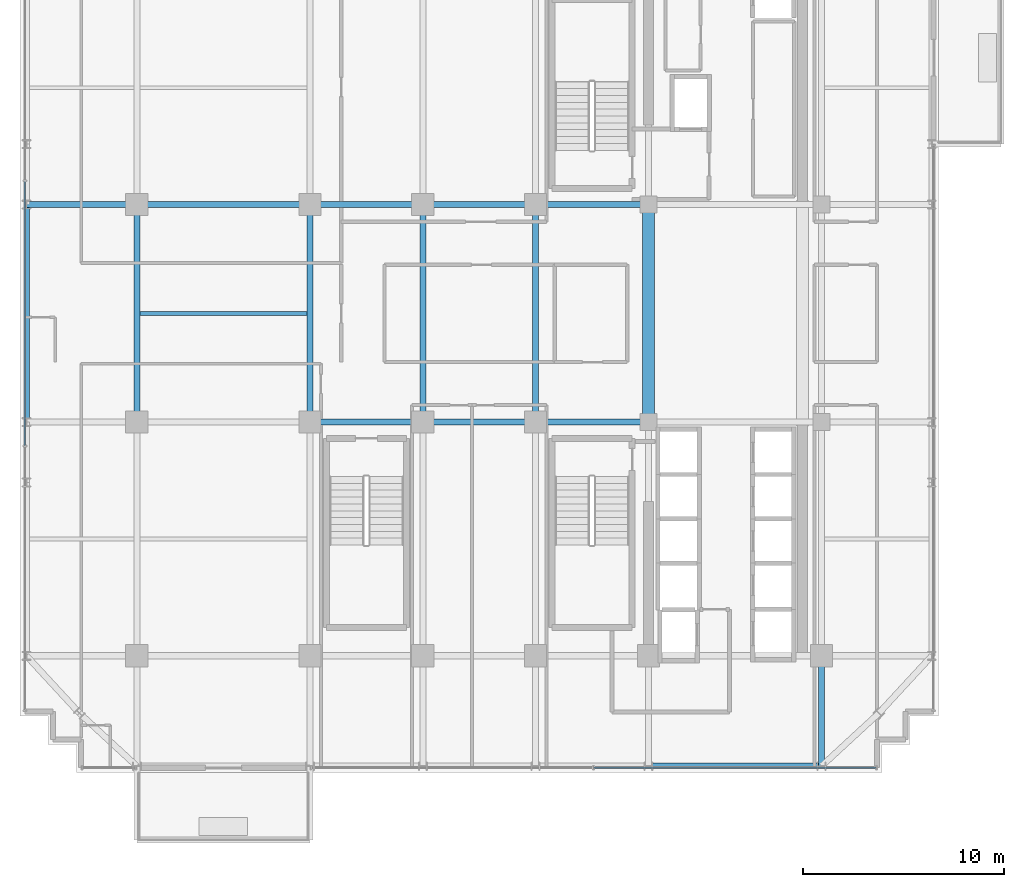
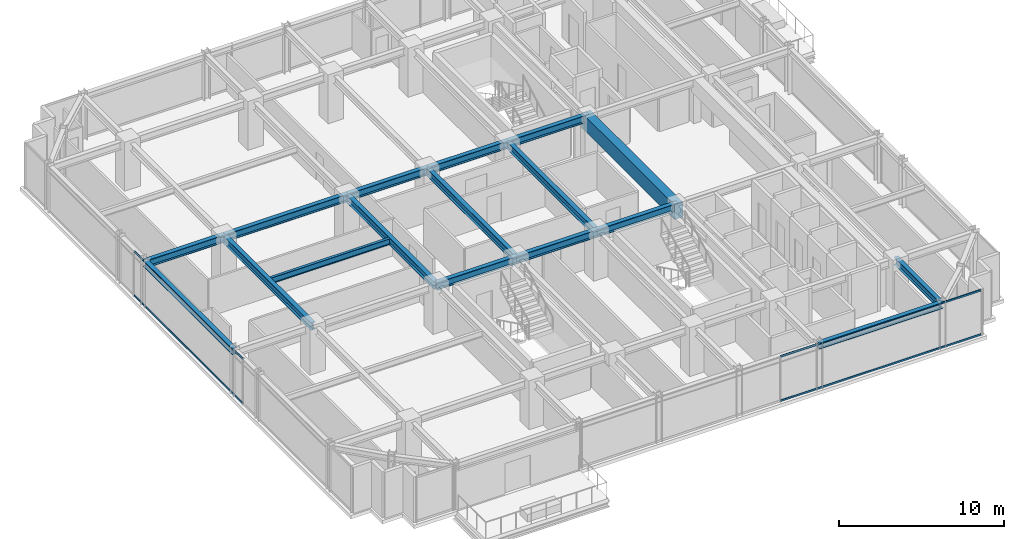
# One storey, part 8 of 31: 17 beams, 4 members, 2 elements without a shape of their own.
"""IFC4 building model written with IfcOpenShell, lengths in metres."""

import ifcopenshell
import ifcopenshell.guid

model = None  # the IFC model being written
_history = None  # IfcOwnerHistory: only IFC2X3 demands one
_inside = {}  # id of a spatial element -> (the spatial element, [elements in it])
_under = {}  # id of a project, library or spatial element -> (it, [spatial elements below it])
_declared = {}  # id of a project -> (the project, [libraries it declares])
_typed = {}  # id of a type object -> (the type object, [elements of that type])
_made_of = {}  # id of a material, layer set ... -> (it, [elements and type objects made of it])


def new_model(schema):
    """Start an empty IFC model of exactly this schema.

    Asked for "IFC4X3", IfcOpenShell would pick the latest addendum, in which some entities
    have other attributes; the version numbers below select the first issue.
    IFC2X3 requires an IfcOwnerHistory on every rooted entity: one is made here for all.
    """
    global model, _history
    if schema == "IFC4X3":
        model = ifcopenshell.file(schema_version=(4, 3, 0, 0))
    else:
        model = ifcopenshell.file(schema=schema)
    _inside.clear()
    _under.clear()
    _declared.clear()
    _typed.clear()
    _made_of.clear()
    _history = None
    if model.schema == "IFC2X3":
        org = make("IfcOrganization", Name="unknown")
        user = make(
            "IfcPersonAndOrganization",
            ThePerson=make("IfcPerson", FamilyName="unknown"),
            TheOrganization=org,
        )
        app = make(
            "IfcApplication",
            ApplicationDeveloper=org,
            Version="unknown",
            ApplicationFullName="unknown",
            ApplicationIdentifier="unknown",
        )
        _history = make(
            "IfcOwnerHistory",
            OwningUser=user,
            OwningApplication=app,
            ChangeAction="ADDED",
            CreationDate=0,
        )
    return model


def make(cls, **values):
    """One entity of the class cls with the attributes given. An attribute that is None is left unset."""
    return model.create_entity(
        cls, **{name: value for name, value in values.items() if value is not None}
    )


def rooted(cls, **values):
    """An entity with a GlobalId (a new one), such as an element, a storey or a relation."""
    return make(cls, GlobalId=ifcopenshell.guid.new(), OwnerHistory=_history, **values)


def si_unit(unit_type, name, prefix=None):
    """IfcSIUnit, for example si_unit("LENGTHUNIT", "METRE", prefix="MILLI")."""
    return make("IfcSIUnit", UnitType=unit_type, Prefix=prefix, Name=name)


def assignment(units):
    """IfcUnitAssignment: the units of a project."""
    return None if units is None else make("IfcUnitAssignment", Units=units)


def point(xyz):
    """IfcCartesianPoint."""
    return None if xyz is None else make("IfcCartesianPoint", Coordinates=xyz)


def direction(xyz):
    """IfcDirection."""
    return None if xyz is None else make("IfcDirection", DirectionRatios=xyz)


def frame(location, z_axis=None, x_axis=None):
    """IfcAxis2Placement3D, a coordinate frame: its origin and axes. An axis left out is left unset."""
    return make(
        "IfcAxis2Placement3D",
        Location=point(location),
        Axis=direction(z_axis),
        RefDirection=direction(x_axis),
    )


def frame_2d(location, x_axis=None):
    """IfcAxis2Placement2D, a coordinate frame in the plane: its origin and x axis."""
    return make(
        "IfcAxis2Placement2D", Location=point(location), RefDirection=direction(x_axis)
    )


def origin():
    """The frame at (0, 0, 0) with its axes left unset."""
    return frame((0.0, 0.0, 0.0))


def origin_2d():
    """The frame at (0, 0) in the plane with its x axis left unset."""
    return frame_2d((0.0, 0.0))


def place(relative_to, where):
    """IfcLocalPlacement: puts the frame where relative to a parent placement (None: the world)."""
    return make(
        "IfcLocalPlacement", PlacementRelTo=relative_to, RelativePlacement=where
    )


def context(
    kind, dimensions, precision=None, world=None, true_north=None, identifier=None
):
    """IfcGeometricRepresentationContext, for example the 3D "Model" context."""
    return make(
        "IfcGeometricRepresentationContext",
        ContextIdentifier=identifier,
        ContextType=kind,
        CoordinateSpaceDimension=dimensions,
        Precision=precision,
        WorldCoordinateSystem=world,
        TrueNorth=true_north,
    )


def subcontext(parent, identifier, kind, view, scale=None):
    """IfcGeometricRepresentationSubContext, for example "Body" below "Model"."""
    return make(
        "IfcGeometricRepresentationSubContext",
        ContextIdentifier=identifier,
        ContextType=kind,
        ParentContext=parent,
        TargetScale=scale,
        TargetView=view,
    )


def project(units=None, contexts=None):
    """IfcProject with its units and contexts."""
    return rooted(
        "IfcProject",
        Name="project",
        RepresentationContexts=contexts,
        UnitsInContext=assignment(units),
    )


def spatial(cls, under=None, at=None, **own):
    """A site, building, storey or space (cls), placed at a placement, below another one or the project."""
    s = rooted(cls, ObjectPlacement=at, **own)
    if under is not None:
        _under.setdefault(under.id(), (under, []))[1].append(s)
    return s


def profile(cls, at=None, kind="AREA", **sizes):
    """A parametric profile (cls). Its sizes go by their IFC names, for example OverallWidth=200.0."""
    return make(cls, ProfileType=kind, Position=at, **sizes)


def rectangle(**sizes):
    """IfcRectangleProfileDef."""
    return profile("IfcRectangleProfileDef", **sizes)


def hollow_rectangle(**sizes):
    """IfcRectangleHollowProfileDef."""
    return profile("IfcRectangleHollowProfileDef", **sizes)


def i_section(**sizes):
    """IfcIShapeProfileDef."""
    return profile("IfcIShapeProfileDef", **sizes)


def extrude(swept, where, along, depth):
    """IfcExtrudedAreaSolid: the profile swept, set in the frame where, extruded along a direction by depth."""
    return make(
        "IfcExtrudedAreaSolid",
        SweptArea=swept,
        Position=where,
        ExtrudedDirection=direction(along),
        Depth=depth,
    )


def shape(context_of_items, identifier, shape_type, items):
    """IfcShapeRepresentation: the items that make up one representation, for example the "Body"."""
    return make(
        "IfcShapeRepresentation",
        ContextOfItems=context_of_items,
        RepresentationIdentifier=identifier,
        RepresentationType=shape_type,
        Items=items,
    )


def source(mapping_origin, context_of_items, identifier, shape_type, items):
    """IfcRepresentationMap: a shape defined once, which mapped items show again and again."""
    return make(
        "IfcRepresentationMap",
        MappingOrigin=mapping_origin,
        MappedRepresentation=shape(context_of_items, identifier, shape_type, items),
    )


def transform(
    local_origin,
    x_axis=None,
    y_axis=None,
    z_axis=None,
    scale=None,
    scale2=None,
    scale3=None,
    uniform=True,
):
    """IfcCartesianTransformationOperator3D, or its non-uniform kind. x_axis, y_axis, z_axis: its Axis1, 2, 3."""
    if uniform:
        return make(
            "IfcCartesianTransformationOperator3D",
            Axis1=direction(x_axis),
            Axis2=direction(y_axis),
            LocalOrigin=point(local_origin),
            Scale=scale,
            Axis3=direction(z_axis),
        )
    return make(
        "IfcCartesianTransformationOperator3DnonUniform",
        Axis1=direction(x_axis),
        Axis2=direction(y_axis),
        LocalOrigin=point(local_origin),
        Scale=scale,
        Axis3=direction(z_axis),
        Scale2=scale2,
        Scale3=scale3,
    )


def mapped(mapping_source, mapping_target):
    """IfcMappedItem: shows the shape of a source again, moved by a transform."""
    return make(
        "IfcMappedItem", MappingSource=mapping_source, MappingTarget=mapping_target
    )


def material(Name=None, Category=None):
    """IfcMaterial."""
    return make("IfcMaterial", Name=Name, Category=Category)


def material_profile(
    of_material, cross_section, Name=None, Category=None, Priority=None
):
    """IfcMaterialProfile: a cross section and its material."""
    return make(
        "IfcMaterialProfile",
        Name=Name,
        Material=of_material,
        Profile=cross_section,
        Priority=Priority,
        Category=Category,
    )


def profile_set(profiles, Name=None, composite=None):
    """IfcMaterialProfileSet."""
    return make(
        "IfcMaterialProfileSet",
        Name=Name,
        MaterialProfiles=profiles,
        CompositeProfile=composite,
    )


def made_of(thing, what):
    """Note that an element or type object is made of a material, layer set ...; save() writes the relation."""
    if what is not None:
        _made_of.setdefault(what.id(), (what, []))[1].append(thing)
    return thing


def type_object(cls, material=None, **own):
    """A type object (cls), such as IfcWallType, which elements share."""
    return made_of(rooted(cls, **own), material)


def element(
    cls,
    number,
    at=None,
    inside=None,
    cuts=None,
    type_object=None,
    material=None,
    context=None,
    identifier="Body",
    shape_type=None,
    held_by="IfcProductDefinitionShape",
    body=None,
    shapes=None,
    **own,
):
    """One element of the class cls, such as IfcWall. Its Tag is "e" and its number.

    at: its placement. inside: the storey or other place that contains it. cuts: it is an
    opening in that element (IfcRelVoidsElement). A single representation is given by context,
    identifier, shape_type and body (its items); several are given by shapes. held_by: the class
    of the entity that holds the representations. save() writes the other relations.
    """
    e = rooted(cls, Tag="e%d" % number, ObjectPlacement=at, **own)
    if body is not None:
        shapes = [shape(context, identifier, shape_type, body)]
    if shapes is not None:
        e.Representation = make(held_by, Representations=shapes)
    if inside is not None:
        _inside.setdefault(inside.id(), (inside, []))[1].append(e)
    if cuts is not None:
        rooted(
            "IfcRelVoidsElement", RelatingBuildingElement=cuts, RelatedOpeningElement=e
        )
    if type_object is not None:
        _typed.setdefault(type_object.id(), (type_object, []))[1].append(e)
    return made_of(e, material)


def aggregate(whole, parts):
    """IfcRelAggregates: a whole, such as a stair, and the parts it consists of."""
    return rooted("IfcRelAggregates", RelatingObject=whole, RelatedObjects=parts)


def save(model, path):
    """Write the relations noted so far, then the file.

    IfcRelAggregates (storeys below a building ...), IfcRelContainedInSpatialStructure (elements
    in a storey), IfcRelDefinesByType, IfcRelAssociatesMaterial and IfcRelDeclares: one each for
    every whole, place, type object, material and project.
    """
    for whole, parts in _under.values():
        aggregate(whole, parts)
    for where, things in _inside.values():
        rooted(
            "IfcRelContainedInSpatialStructure",
            RelatedElements=things,
            RelatingStructure=where,
        )
    for kind, things in _typed.values():
        rooted("IfcRelDefinesByType", RelatedObjects=things, RelatingType=kind)
    for what, things in _made_of.values():
        rooted("IfcRelAssociatesMaterial", RelatedObjects=things, RelatingMaterial=what)
    for by, libraries in _declared.values():
        rooted("IfcRelDeclares", RelatingContext=by, RelatedDefinitions=libraries)
    model.write(path)


model = new_model("IFC4")

# Units and contexts
model_context = context("Model", 3, precision=1e-05, world=origin(), true_north=direction((0.0, 1.0)))
body_context = subcontext(model_context, "Body", "Model", "MODEL_VIEW")
ifc_project = project(units=[si_unit("LENGTHUNIT", "METRE"), si_unit("AREAUNIT", "SQUARE_METRE"), si_unit("VOLUMEUNIT", "CUBIC_METRE"), si_unit("PLANEANGLEUNIT", "RADIAN"), si_unit("MASSUNIT", "GRAM", prefix="KILO")], contexts=[model_context])

# Site, building, storey
site_placement = place(None, origin())
site = spatial("IfcSite", under=ifc_project, at=site_placement, CompositionType="ELEMENT")
building_placement = place(site_placement, origin())
building = spatial("IfcBuilding", under=site, at=building_placement, Name="Nahalor Promenade Grand Hotel", CompositionType="ELEMENT")
storey_placement = place(building_placement, frame((0.0, 0.0, 192.800048828125)))
storey = spatial("IfcBuildingStorey", under=building, at=storey_placement, Name="L49", CompositionType="ELEMENT", Elevation=192.800048828125)

# Beams
ifc_material_1 = material(Name="Concrete B-60 (C50/60)", Category="concrete")
ifc_material_profile_1 = material_profile(ifc_material_1, rectangle(XDim=0.6, YDim=1.1, at=origin_2d()), Name="RC 600x1100")
ifc_profile_set_1 = profile_set([ifc_material_profile_1], Name="Concrete B-60 (C50/60)")
beam_type_1 = type_object("IfcBeamType", Name="Beam-Lintel-RC1100", PredefinedType="LINTEL", material=ifc_profile_set_1)
shared_shape_1 = source(origin(), body_context, "Body", "SweptSolid", [
    extrude(rectangle(XDim=0.6, YDim=1.1, at=origin_2d()), origin(), (0.0, 0.0, 1.0), 11.2001953125),
])
beam_1_placement = place(storey_placement, frame((8.39990234375, -5.60009765625, 2.83984375), z_axis=(0.0, 1.0, 0.0), x_axis=(-1.0, 0.0, 0.0)))
element("IfcBeam", 1, at=beam_1_placement, inside=storey, type_object=beam_type_1, Name="BM-L49-LINT-W", PredefinedType="LINTEL", context=body_context, shape_type="MappedRepresentation", body=[
    mapped(shared_shape_1, transform((0.0, 0.0, 0.0), scale=1.0)),
])
ifc_material_2 = material(Name="Steel S355JR", Category="steel")
ifc_material_profile_2 = material_profile(ifc_material_2, i_section(OverallWidth=0.3, OverallDepth=0.55, WebThickness=0.015, FlangeThickness=0.029, at=origin_2d()), Name="HEB 550")
ifc_profile_set_2 = profile_set([ifc_material_profile_2], Name="Steel S355JR")
beam_type_2 = type_object("IfcBeamType", Name="Beam-Girder-HEB550", PredefinedType="BEAM", material=ifc_profile_set_2)
shared_shape_2 = source(origin(), body_context, "Body", "SweptSolid", [
    extrude(i_section(OverallWidth=0.3, OverallDepth=0.55, WebThickness=0.015, FlangeThickness=0.029, at=origin_2d()), origin(), (0.0, 0.0, 1.0), 8.60009765625),
])
beam_2_placement = place(storey_placement, frame((-17.0, 5.39990234375, 3.114990234375), z_axis=(1.0, 0.0, 0.0), x_axis=(0.0, 1.0, 0.0)))
element("IfcBeam", 2, at=beam_2_placement, inside=storey, type_object=beam_type_2, Name="BM-L49-GX-2-1", PredefinedType="BEAM", context=body_context, shape_type="MappedRepresentation", body=[
    mapped(shared_shape_2, transform((0.0, 0.0, 0.0), scale=1.0)),
])
shared_shape_3 = source(origin(), body_context, "Body", "SweptSolid", [
    extrude(i_section(OverallWidth=0.3, OverallDepth=0.55, WebThickness=0.015, FlangeThickness=0.029, at=origin_2d()), origin(), (0.0, 0.0, 1.0), 5.599853515625),
])
for number, where, z_axis, x_axis, name in (
    (3, (-8.39990234375, -5.39990234375, 3.114990234375), (1.0, 0.0, 0.0), (0.0, 1.0, 0.0), "BM-L49-GX-1-2"),
    (4, (2.800048828125, -5.39990234375, 3.114990234375), (1.0, 0.0, 0.0), (0.0, 1.0, 0.0), "BM-L49-GX-1-4"),
    (5, (-8.39990234375, 5.39990234375, 3.114990234375), (1.0, 0.0, 0.0), (0.0, 1.0, 0.0), "BM-L49-GX-2-2"),
    (6, (2.800048828125, 5.39990234375, 3.114990234375), (1.0, 0.0, 0.0), (0.0, 1.0, 0.0), "BM-L49-GX-2-4"),
):
    element("IfcBeam", number, at=place(storey_placement, frame(where, z_axis=z_axis, x_axis=x_axis)), inside=storey, type_object=beam_type_2, Name=name, PredefinedType="BEAM", context=body_context, shape_type="MappedRepresentation", body=[
        mapped(shared_shape_3, transform((0.0, 0.0, 0.0), scale=1.0)),
    ])
shared_shape_4 = source(origin(), body_context, "Body", "SweptSolid", [
    extrude(i_section(OverallWidth=0.3, OverallDepth=0.55, WebThickness=0.015, FlangeThickness=0.029, at=origin_2d()), origin(), (0.0, 0.0, 1.0), 5.60009765625),
])
for number, where, z_axis, x_axis, name in (
    (7, (-2.800048828125, -5.39990234375, 3.114990234375), (1.0, 0.0, 0.0), (0.0, 1.0, 0.0), "BM-L49-GX-1-3"),
    (8, (-2.800048828125, 5.39990234375, 3.114990234375), (1.0, 0.0, 0.0), (0.0, 1.0, 0.0), "BM-L49-GX-2-3"),
):
    element("IfcBeam", number, at=place(storey_placement, frame(where, z_axis=z_axis, x_axis=x_axis)), inside=storey, type_object=beam_type_2, Name=name, PredefinedType="BEAM", context=body_context, shape_type="MappedRepresentation", body=[
        mapped(shared_shape_4, transform((0.0, 0.0, 0.0), scale=1.0)),
    ])
shared_shape_5 = source(origin(), body_context, "Body", "SweptSolid", [
    extrude(i_section(OverallWidth=0.3, OverallDepth=0.55, WebThickness=0.015, FlangeThickness=0.029, at=origin_2d()), origin(), (0.0, 0.0, 1.0), 10.7998046875),
])
for number, where, z_axis, x_axis, name in (
    (9, (-17.0, -5.39990234375, 3.114990234375), (0.0, 1.0, 0.0), (-1.0, 0.0, 0.0), "BM-L49-GY-0-2"),
    (10, (-8.39990234375, -5.39990234375, 3.114990234375), (0.0, 1.0, 0.0), (-1.0, 0.0, 0.0), "BM-L49-GY-1-2"),
    (11, (-2.800048828125, -5.39990234375, 3.114990234375), (0.0, 1.0, 0.0), (-1.0, 0.0, 0.0), "BM-L49-GY-2-2"),
    (12, (2.800048828125, -5.39990234375, 3.114990234375), (0.0, 1.0, 0.0), (-1.0, 0.0, 0.0), "BM-L49-GY-3-2"),
):
    element("IfcBeam", number, at=place(storey_placement, frame(where, z_axis=z_axis, x_axis=x_axis)), inside=storey, type_object=beam_type_2, Name=name, PredefinedType="BEAM", context=body_context, shape_type="MappedRepresentation", body=[
        mapped(shared_shape_5, transform((0.0, 0.0, 0.0), scale=1.0)),
    ])
ifc_material_profile_3 = material_profile(ifc_material_2, i_section(OverallWidth=0.19, OverallDepth=0.45, WebThickness=0.0094, FlangeThickness=0.0146, at=origin_2d()), Name="IPE 450")
ifc_profile_set_3 = profile_set([ifc_material_profile_3], Name="Steel S355JR")
beam_type_3 = type_object("IfcBeamType", Name="Beam-Joist-IPE450", PredefinedType="JOIST", material=ifc_profile_set_3)
shared_shape_6 = source(origin(), body_context, "Body", "SweptSolid", [
    extrude(i_section(OverallWidth=0.19, OverallDepth=0.45, WebThickness=0.0094, FlangeThickness=0.0146, at=origin_2d()), origin(), (0.0, 0.0, 1.0), 8.300048828125),
])
beam_3_placement = place(storey_placement, frame((-16.85009765625, 0.0, 3.1650390625), z_axis=(1.0, 0.0, 0.0), x_axis=(0.0, 1.0, 0.0)))
element("IfcBeam", 13, at=beam_3_placement, inside=storey, type_object=beam_type_3, Name="BM-L49-JSC-0", PredefinedType="JOIST", context=body_context, shape_type="MappedRepresentation", body=[
    mapped(shared_shape_6, transform((0.0, 0.0, 0.0), scale=1.0)),
])
shared_shape_7 = source(origin(), body_context, "Body", "SweptSolid", [
    extrude(i_section(OverallWidth=0.3, OverallDepth=0.55, WebThickness=0.015, FlangeThickness=0.029, at=origin_2d()), origin(), (0.0, 0.0, 1.0), 5.47998046875),
])
for number, where, z_axis, x_axis, name in (
    (14, (-22.47998046875, 5.39990234375, 3.114990234375), (1.0, 0.0, 0.0), (0.0, 1.0, 0.0), "BM-L49-GX-2-0"),
    (15, (17.0, -22.47998046875, 3.114990234375), (0.0, 1.0, 0.0), (-1.0, 0.0, 0.0), "BM-L49-GY-5-0"),
):
    element("IfcBeam", number, at=place(storey_placement, frame(where, z_axis=z_axis, x_axis=x_axis)), inside=storey, type_object=beam_type_2, Name=name, PredefinedType="BEAM", context=body_context, shape_type="MappedRepresentation", body=[
        mapped(shared_shape_7, transform((0.0, 0.0, 0.0), scale=1.0)),
    ])
ifc_material_profile_4 = material_profile(ifc_material_2, i_section(OverallWidth=0.3, OverallDepth=0.45, WebThickness=0.014, FlangeThickness=0.026, at=origin_2d()), Name="HEB 450")
ifc_profile_set_4 = profile_set([ifc_material_profile_4], Name="Steel S355JR")
beam_type_4 = type_object("IfcBeamType", Name="Beam-Spandrel-HEB450", PredefinedType="SPANDREL", material=ifc_profile_set_4)
shared_shape_8 = source(origin(), body_context, "Body", "SweptSolid", [
    extrude(i_section(OverallWidth=0.3, OverallDepth=0.45, WebThickness=0.014, FlangeThickness=0.026, at=origin_2d()), origin(), (0.0, 0.0, 1.0), 8.60009765625),
])
beam_4_placement = place(storey_placement, frame((8.39990234375, -22.47998046875, 3.1650390625), z_axis=(1.0, 0.0, 0.0), x_axis=(0.0, 1.0, 0.0)))
element("IfcBeam", 16, at=beam_4_placement, inside=storey, type_object=beam_type_4, Name="BM-L49-SP-S-4", PredefinedType="SPANDREL", context=body_context, shape_type="MappedRepresentation", body=[
    mapped(shared_shape_8, transform((0.0, 0.0, 0.0), scale=1.0)),
])
shared_shape_9 = source(origin(), body_context, "Body", "SweptSolid", [
    extrude(i_section(OverallWidth=0.3, OverallDepth=0.45, WebThickness=0.014, FlangeThickness=0.026, at=origin_2d()), origin(), (0.0, 0.0, 1.0), 10.7998046875),
])
beam_5_placement = place(storey_placement, frame((-22.47998046875, -5.39990234375, 3.1650390625), z_axis=(0.0, 1.0, 0.0), x_axis=(-1.0, 0.0, 0.0)))
element("IfcBeam", 17, at=beam_5_placement, inside=storey, type_object=beam_type_4, Name="BM-L49-SP-W-2", PredefinedType="SPANDREL", context=body_context, shape_type="MappedRepresentation", body=[
    mapped(shared_shape_9, transform((0.0, 0.0, 0.0), scale=1.0)),
])

# Curtain wall, members
ifc_material_3 = material(Name="Anodised Bronze Aluminium EN AW-6063 T6", Category="aluminium")
curtain_wall_type = type_object("IfcCurtainWallType", Name="CW2 Typical Hotel Flush Bronze Unitised Curtain Wall", PredefinedType="USERDEFINED", material=ifc_material_3)
curtain_wall_1_placement = place(storey_placement, origin())
curtain_wall_1 = element("IfcCurtainWall", 18, at=curtain_wall_1_placement, inside=storey, type_object=curtain_wall_type, Name="L49 Curtain Wall CW-L49-S-3", ObjectType="UNITISED_CURTAIN_WALL", PredefinedType="USERDEFINED")
ifc_material_profile_5 = material_profile(ifc_material_3, hollow_rectangle(XDim=0.065, YDim=0.13, WallThickness=0.004, at=origin_2d()), Name="CWT 65x130x4")
ifc_profile_set_5 = profile_set([ifc_material_profile_5], Name="Anodised Bronze Aluminium EN AW-6063 T6")
member_type = type_object("IfcMemberType", Name="CWT2 Typical Bronze Transom 65x130", PredefinedType="USERDEFINED", material=ifc_profile_set_5)
shared_shape_10 = source(origin(), body_context, "Body", "SweptSolid", [
    extrude(hollow_rectangle(XDim=0.065, YDim=0.13, WallThickness=0.004, at=origin_2d()), origin(), (0.0, 0.0, 1.0), 13.982666015625),
])
member_1_placement = place(storey_placement, frame((5.71240234375, -22.56005859375, 0.06494140625), z_axis=(1.0, 0.0, 0.0), x_axis=(0.0, 1.0, 0.0)))
member_1 = element("IfcMember", 19, at=member_1_placement, type_object=member_type, Name="CW-L49-S-3 Transom 1-0", ObjectType="TRANSOM", PredefinedType="USERDEFINED", context=body_context, shape_type="MappedRepresentation", body=[
    mapped(shared_shape_10, transform((0.0, 0.0, 0.0), scale=1.0)),
])
member_2_placement = place(storey_placement, frame((5.71240234375, -22.56005859375, 3.324951171875), z_axis=(1.0, 0.0, 0.0), x_axis=(0.0, 1.0, 0.0)))
member_2 = element("IfcMember", 20, at=member_2_placement, type_object=member_type, Name="CW-L49-S-3 Transom 1-1", ObjectType="TRANSOM", PredefinedType="USERDEFINED", context=body_context, shape_type="MappedRepresentation", body=[
    mapped(shared_shape_10, transform((0.0, 0.0, 0.0), scale=1.0)),
])
aggregate(curtain_wall_1, [member_1, member_2])

curtain_wall_2_placement = place(storey_placement, origin())
curtain_wall_2 = element("IfcCurtainWall", 21, at=curtain_wall_2_placement, inside=storey, type_object=curtain_wall_type, Name="L49 Curtain Wall CW-L49-W-1", ObjectType="UNITISED_CURTAIN_WALL", PredefinedType="USERDEFINED")
shared_shape_11 = source(origin(), body_context, "Body", "SweptSolid", [
    extrude(hollow_rectangle(XDim=0.065, YDim=0.13, WallThickness=0.004, at=origin_2d()), origin(), (0.0, 0.0, 1.0), 13.1083984375),
])
member_3_placement = place(storey_placement, frame((-22.56005859375, -6.55419921875, 0.06494140625), z_axis=(0.0, 1.0, 0.0), x_axis=(-1.0, 0.0, 0.0)))
member_3 = element("IfcMember", 22, at=member_3_placement, type_object=member_type, Name="CW-L49-W-1 Transom 1-0", ObjectType="TRANSOM", PredefinedType="USERDEFINED", context=body_context, shape_type="MappedRepresentation", body=[
    mapped(shared_shape_11, transform((0.0, 0.0, 0.0), scale=1.0)),
])
member_4_placement = place(storey_placement, frame((-22.56005859375, -6.55419921875, 3.324951171875), z_axis=(0.0, 1.0, 0.0), x_axis=(-1.0, 0.0, 0.0)))
member_4 = element("IfcMember", 23, at=member_4_placement, type_object=member_type, Name="CW-L49-W-1 Transom 1-1", ObjectType="TRANSOM", PredefinedType="USERDEFINED", context=body_context, shape_type="MappedRepresentation", body=[
    mapped(shared_shape_11, transform((0.0, 0.0, 0.0), scale=1.0)),
])
aggregate(curtain_wall_2, [member_3, member_4])

save(model, "model.ifc")
